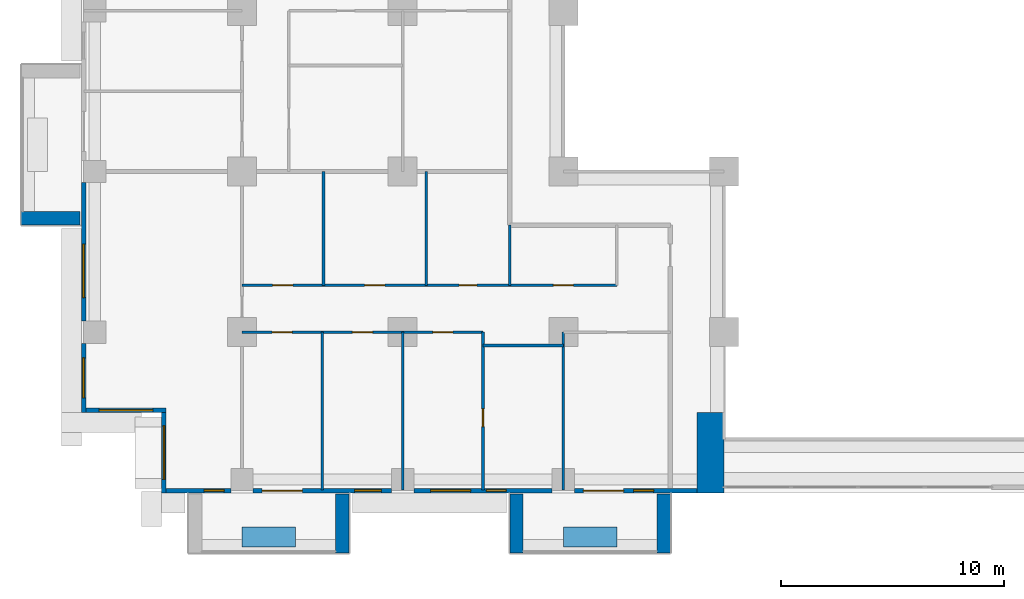
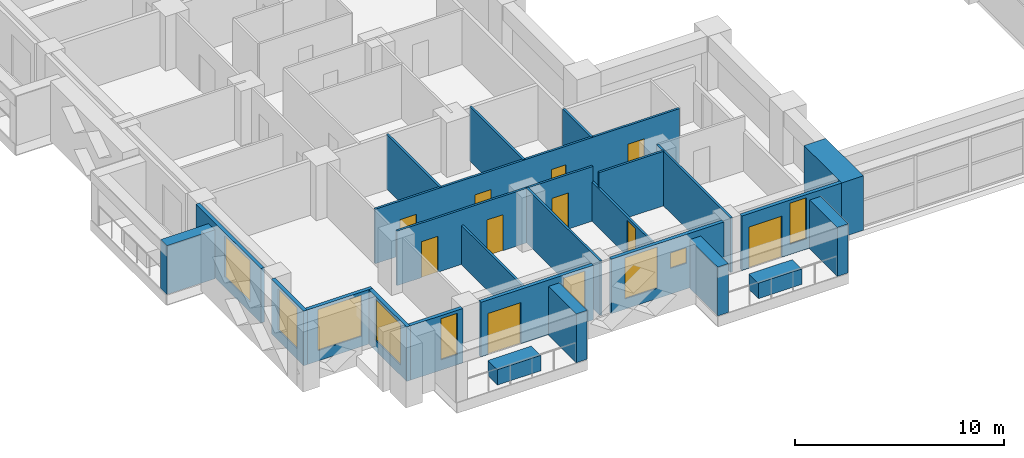
# One storey, part 6 of 17: 25 walls, 10 doors, 9 windows, 19 openings.
"""IFC4 building model written with IfcOpenShell, lengths in metres."""

from ifc_helpers import new_model, si_unit, direction, frame, frame_2d, origin, place, context, subcontext, project, spatial, rectangle, extrude, material, layer, layer_set, type_object, element, fill, save


model = new_model("IFC4")

# Units and contexts
model_context = context("Model", 3, precision=1e-05, world=origin(), true_north=direction((0.0, 1.0)))
body_context = subcontext(model_context, "Body", "Model", "MODEL_VIEW")
ifc_project = project(units=[si_unit("LENGTHUNIT", "METRE"), si_unit("AREAUNIT", "SQUARE_METRE"), si_unit("VOLUMEUNIT", "CUBIC_METRE"), si_unit("PLANEANGLEUNIT", "RADIAN"), si_unit("MASSUNIT", "GRAM", prefix="KILO")], contexts=[model_context])

# Site, building, storey
site_placement = place(None, origin())
site = spatial("IfcSite", under=ifc_project, at=site_placement, CompositionType="ELEMENT")
building_placement = place(site_placement, origin())
building = spatial("IfcBuilding", under=site, at=building_placement, Name="Saffron Iwan Residences", CompositionType="ELEMENT")
storey_placement = place(building_placement, frame((0.0, 0.0, 62.0)))
storey = spatial("IfcBuildingStorey", under=building, at=storey_placement, Name="L15", CompositionType="ELEMENT", Elevation=62.0)

# Walls
ifc_material_1 = material(Name="Concrete C50/60 white painted", Category="concrete")
ifc_layer_1 = layer(ifc_material_1, 0.60009765625)
ifc_layer_set_1 = layer_set([ifc_layer_1], Name="Concrete C50/60 white painted")
wall_type_1 = type_object("IfcWallType", Name="BALCONY FIN 600", PredefinedType="SOLIDWALL", material=ifc_layer_set_1)
for number, where, z_axis, x_axis, name in (
    (1, (14.35009765625, 45.89990234375, 0.0), (0.0, 0.0, 1.0), (-1.0, 0.0, 0.0), "Balcony fin L15 F8-1b"),
    (2, (26.10009765625, 33.550048828125, 0.0), (0.0, 0.0, 1.0), (0.0, -1.0, 0.0), "Balcony fin L15 11-0b"),
    (3, (33.89990234375, 33.550048828125, 0.0), (0.0, 0.0, 1.0), (0.0, -1.0, 0.0), "Balcony fin L15 11-1a"),
    (4, (40.5, 33.550048828125, 0.0), (0.0, 0.0, 1.0), (0.0, -1.0, 0.0), "Balcony fin L15 11-1b"),
):
    element("IfcWall", number, at=place(storey_placement, frame(where, z_axis=z_axis, x_axis=x_axis)), inside=storey, type_object=wall_type_1, Name=name, PredefinedType="SOLIDWALL", context=body_context, shape_type="SweptSolid", body=[
        extrude(rectangle(XDim=2.650146484375, YDim=0.60009765625, at=frame_2d((1.3251953125, 0.0))), origin(), (0.0, 0.0, 1.0), 2.85009765625),
    ])
ifc_material_2 = material(Name="Concrete C35/45 white painted", Category="concrete")
ifc_layer_2 = layer(ifc_material_2, 0.14990234375)
ifc_layer_set_2 = layer_set([ifc_layer_2], Name="Concrete C35/45 white painted")
wall_type_2 = type_object("IfcWallType", Name="BALCONY PLANTER", PredefinedType="SOLIDWALL", material=ifc_layer_set_2)
for number, where, z_axis, x_axis, name in (
    (5, (21.60009765625, 31.625, 0.0), (0.0, 0.0, 1.0), (1.0, 0.0, 0.0), "PLANTER L15 11-0"),
    (6, (36.0, 31.625, 0.0), (0.0, 0.0, 1.0), (1.0, 0.0, 0.0), "PLANTER L15 11-1"),
):
    element("IfcWall", number, at=place(storey_placement, frame(where, z_axis=z_axis, x_axis=x_axis)), inside=storey, type_object=wall_type_2, Name=name, PredefinedType="SOLIDWALL", context=body_context, shape_type="SweptSolid", body=[
        extrude(rectangle(XDim=2.39990234375, YDim=0.89990234375, at=frame_2d((1.199951171875, 0.0))), origin(), (0.0, 0.0, 1.0), 0.89990234375),
    ])

# Wall, opening, window
ifc_material_3 = material(Name="Concrete C40/50", Category="concrete")
ifc_layer_3 = layer(ifc_material_3, 0.199951171875)
ifc_layer_set_3 = layer_set([ifc_layer_3], Name="Concrete C40/50")
wall_type_3 = type_object("IfcWallType", Name="EXTERNAL WALL 200", PredefinedType="SOLIDWALL", material=ifc_layer_set_3)
wall_1_placement = place(storey_placement, frame((14.5, 47.5, 0.0), z_axis=(0.0, 0.0, 1.0), x_axis=(0.0, -1.0, 0.0)))
wall_1 = element("IfcWall", 7, at=wall_1_placement, inside=storey, type_object=wall_type_3, Name="External wall L15 F8.4", PredefinedType="SOLIDWALL", context=body_context, shape_type="SweptSolid", body=[
    extrude(rectangle(XDim=6.199951171875, YDim=0.199951171875, at=frame_2d((3.10009765625, 0.0))), origin(), (0.0, 0.0, 1.0), 3.179931640625),
])
opening_1_placement = place(wall_1_placement, frame((2.75, 0.0, 0.60009765625)))
opening_1 = element("IfcOpeningElement", 8, at=opening_1_placement, cuts=wall_1, Name="Opening W1", PredefinedType="OPENING", context=body_context, shape_type="SweptSolid", body=[
    extrude(rectangle(XDim=2.39990234375, YDim=2.39990234375, at=frame_2d((1.199951171875, 1.199951171875))), frame((0.0, 0.10986328125, 0.0), z_axis=(0.0, -1.0, 0.0), x_axis=(1.0, 0.0, 0.0)), (0.0, 0.0, 1.0), 0.219970703125),
])
ifc_material_4 = material(Name="Clear glass, laminated double glazed", Category="glass")
window_type_1 = type_object("IfcWindowType", Name="WINDOW 2400 x 2400", PartitioningType="DOUBLE_PANEL_VERTICAL", PredefinedType="WINDOW", material=ifc_material_4)
window_1_placement = place(opening_1_placement, origin())
window_1 = element("IfcWindow", 9, at=window_1_placement, inside=storey, type_object=window_type_1, Name="Window L15 F8.0", OverallHeight=2.39990234375, OverallWidth=2.39990234375, PartitioningType="DOUBLE_PANEL_VERTICAL", PredefinedType="WINDOW", context=body_context, shape_type="SweptSolid", body=[
    extrude(rectangle(XDim=2.39990234375, YDim=2.39990234375, at=frame_2d((1.199951171875, 1.199951171875))), frame((0.0, 0.030029296875, 0.0), z_axis=(0.0, -1.0, 0.0), x_axis=(1.0, 0.0, 0.0)), (0.0, 0.0, 1.0), 0.06005859375),
])
fill(opening_1, window_1)

wall_2_placement = place(storey_placement, frame((14.5, 40.300048828125, 0.0), z_axis=(0.0, 0.0, 1.0), x_axis=(0.0, -1.0, 0.0)))
wall_2 = element("IfcWall", 10, at=wall_2_placement, inside=storey, type_object=wall_type_3, Name="External wall L15 F8.5", PredefinedType="SOLIDWALL", context=body_context, shape_type="SweptSolid", body=[
    extrude(rectangle(XDim=3.10009765625, YDim=0.199951171875, at=frame_2d((1.550048828125, 0.0))), origin(), (0.0, 0.0, 1.0), 3.179931640625),
])
opening_2_placement = place(wall_2_placement, frame((0.64990234375, 0.0, 0.60009765625)))
opening_2 = element("IfcOpeningElement", 11, at=opening_2_placement, cuts=wall_2, Name="Opening W8", PredefinedType="OPENING", context=body_context, shape_type="SweptSolid", body=[
    extrude(rectangle(XDim=1.800048828125, YDim=2.39990234375, at=frame_2d((0.89990234375, 1.199951171875))), frame((0.0, 0.10986328125, 0.0), z_axis=(0.0, -1.0, 0.0), x_axis=(1.0, 0.0, 0.0)), (0.0, 0.0, 1.0), 0.219970703125),
])
window_type_2 = type_object("IfcWindowType", Name="WINDOW 1800 x 2400", PartitioningType="DOUBLE_PANEL_VERTICAL", PredefinedType="WINDOW", material=ifc_material_4)
window_2_placement = place(opening_2_placement, origin())
window_2 = element("IfcWindow", 12, at=window_2_placement, inside=storey, type_object=window_type_2, Name="Window L15 F8.0", OverallHeight=2.39990234375, OverallWidth=1.800048828125, PartitioningType="DOUBLE_PANEL_VERTICAL", PredefinedType="WINDOW", context=body_context, shape_type="SweptSolid", body=[
    extrude(rectangle(XDim=1.800048828125, YDim=2.39990234375, at=frame_2d((0.89990234375, 1.199951171875))), frame((0.0, 0.030029296875, 0.0), z_axis=(0.0, -1.0, 0.0), x_axis=(1.0, 0.0, 0.0)), (0.0, 0.0, 1.0), 0.06005859375),
])
fill(opening_2, window_2)

wall_3_placement = place(storey_placement, frame((14.60009765625, 37.300048828125, 0.0), z_axis=(0.0, 0.0, 1.0), x_axis=(1.0, 0.0, 0.0)))
wall_3 = element("IfcWall", 13, at=wall_3_placement, inside=storey, type_object=wall_type_3, Name="External wall L15 F9.0", PredefinedType="SOLIDWALL", context=body_context, shape_type="SweptSolid", body=[
    extrude(rectangle(XDim=3.599853515625, YDim=0.199951171875, at=frame_2d((1.7998046875, 0.0))), origin(), (0.0, 0.0, 1.0), 3.179931640625),
])
opening_3_placement = place(wall_3_placement, frame((0.60009765625, 0.0, 0.60009765625)))
opening_3 = element("IfcOpeningElement", 14, at=opening_3_placement, cuts=wall_3, Name="Opening W1", PredefinedType="OPENING", context=body_context, shape_type="SweptSolid", body=[
    extrude(rectangle(XDim=2.39990234375, YDim=2.39990234375, at=frame_2d((1.199951171875, 1.199951171875))), frame((0.0, 0.10986328125, 0.0), z_axis=(0.0, -1.0, 0.0), x_axis=(1.0, 0.0, 0.0)), (0.0, 0.0, 1.0), 0.219970703125),
])
window_3_placement = place(opening_3_placement, origin())
window_3 = element("IfcWindow", 15, at=window_3_placement, inside=storey, type_object=window_type_1, Name="Window L15 F9.0", OverallHeight=2.39990234375, OverallWidth=2.39990234375, PartitioningType="DOUBLE_PANEL_VERTICAL", PredefinedType="WINDOW", context=body_context, shape_type="SweptSolid", body=[
    extrude(rectangle(XDim=2.39990234375, YDim=2.39990234375, at=frame_2d((1.199951171875, 1.199951171875))), frame((0.0, 0.030029296875, 0.0), z_axis=(0.0, -1.0, 0.0), x_axis=(1.0, 0.0, 0.0)), (0.0, 0.0, 1.0), 0.06005859375),
])
fill(opening_3, window_3)

wall_4_placement = place(storey_placement, frame((18.10009765625, 37.199951171875, 0.0), z_axis=(0.0, 0.0, 1.0), x_axis=(0.0, -1.0, 0.0)))
wall_4 = element("IfcWall", 16, at=wall_4_placement, inside=storey, type_object=wall_type_3, Name="External wall L15 F10.0", PredefinedType="SOLIDWALL", context=body_context, shape_type="SweptSolid", body=[
    extrude(rectangle(XDim=3.599853515625, YDim=0.199951171875, at=frame_2d((1.7998046875, 0.0))), origin(), (0.0, 0.0, 1.0), 3.179931640625),
])
opening_4_placement = place(wall_4_placement, frame((0.60009765625, 0.0, 0.60009765625)))
opening_4 = element("IfcOpeningElement", 17, at=opening_4_placement, cuts=wall_4, Name="Opening W1", PredefinedType="OPENING", context=body_context, shape_type="SweptSolid", body=[
    extrude(rectangle(XDim=2.39990234375, YDim=2.39990234375, at=frame_2d((1.199951171875, 1.199951171875))), frame((0.0, 0.10986328125, 0.0), z_axis=(0.0, -1.0, 0.0), x_axis=(1.0, 0.0, 0.0)), (0.0, 0.0, 1.0), 0.219970703125),
])
window_4_placement = place(opening_4_placement, origin())
window_4 = element("IfcWindow", 18, at=window_4_placement, inside=storey, type_object=window_type_1, Name="Window L15 F10.0", OverallHeight=2.39990234375, OverallWidth=2.39990234375, PartitioningType="DOUBLE_PANEL_VERTICAL", PredefinedType="WINDOW", context=body_context, shape_type="SweptSolid", body=[
    extrude(rectangle(XDim=2.39990234375, YDim=2.39990234375, at=frame_2d((1.199951171875, 1.199951171875))), frame((0.0, 0.030029296875, 0.0), z_axis=(0.0, -1.0, 0.0), x_axis=(1.0, 0.0, 0.0)), (0.0, 0.0, 1.0), 0.06005859375),
])
fill(opening_4, window_4)

wall_5_placement = place(storey_placement, frame((18.199951171875, 33.699951171875, 0.0), z_axis=(0.0, 0.0, 1.0), x_axis=(1.0, 0.0, 0.0)))
wall_5 = element("IfcWall", 19, at=wall_5_placement, inside=storey, type_object=wall_type_3, Name="External wall L15 F11.0", PredefinedType="SOLIDWALL", context=body_context, shape_type="SweptSolid", body=[
    extrude(rectangle(XDim=2.900146484375, YDim=0.199951171875, at=frame_2d((1.4501953125, 0.0))), origin(), (0.0, 0.0, 1.0), 3.179931640625),
])
opening_5_placement = place(wall_5_placement, frame((1.699951171875, 0.0, 0.60009765625)))
opening_5 = element("IfcOpeningElement", 20, at=opening_5_placement, cuts=wall_5, Name="Opening W10", PredefinedType="OPENING", context=body_context, shape_type="SweptSolid", body=[
    extrude(rectangle(XDim=0.89990234375, YDim=2.39990234375, at=frame_2d((0.449951171875, 1.199951171875))), frame((0.0, 0.10986328125, 0.0), z_axis=(0.0, -1.0, 0.0), x_axis=(1.0, 0.0, 0.0)), (0.0, 0.0, 1.0), 0.219970703125),
])
window_type_3 = type_object("IfcWindowType", Name="WINDOW 900 x 2400", PartitioningType="SINGLE_PANEL", PredefinedType="WINDOW", material=ifc_material_4)
window_5_placement = place(opening_5_placement, origin())
window_5 = element("IfcWindow", 21, at=window_5_placement, inside=storey, type_object=window_type_3, Name="Window L15 F11.0", OverallHeight=2.39990234375, OverallWidth=0.89990234375, PartitioningType="SINGLE_PANEL", PredefinedType="WINDOW", context=body_context, shape_type="SweptSolid", body=[
    extrude(rectangle(XDim=0.89990234375, YDim=2.39990234375, at=frame_2d((0.449951171875, 1.199951171875))), frame((0.0, 0.030029296875, 0.0), z_axis=(0.0, -1.0, 0.0), x_axis=(1.0, 0.0, 0.0)), (0.0, 0.0, 1.0), 0.06005859375),
])
fill(opening_5, window_5)

# Wall, openings, door, window
wall_6_placement = place(storey_placement, frame((22.10009765625, 33.699951171875, 0.0), z_axis=(0.0, 0.0, 1.0), x_axis=(1.0, 0.0, 0.0)))
wall_6 = element("IfcWall", 22, at=wall_6_placement, inside=storey, type_object=wall_type_3, Name="External wall L15 F11.1", PredefinedType="SOLIDWALL", context=body_context, shape_type="SweptSolid", body=[
    extrude(rectangle(XDim=6.199951171875, YDim=0.199951171875, at=frame_2d((3.10009765625, 0.0))), origin(), (0.0, 0.0, 1.0), 3.179931640625),
])
opening_6_placement = place(wall_6_placement, frame((0.39990234375, 0.0, 0.0)))
opening_6 = element("IfcOpeningElement", 23, at=opening_6_placement, cuts=wall_6, Name="Opening BD1", PredefinedType="OPENING", context=body_context, shape_type="SweptSolid", body=[
    extrude(rectangle(XDim=1.800048828125, YDim=2.39990234375, at=frame_2d((0.89990234375, 1.199951171875))), frame((0.0, 0.10986328125, 0.0), z_axis=(0.0, -1.0, 0.0), x_axis=(1.0, 0.0, 0.0)), (0.0, 0.0, 1.0), 0.219970703125),
])
opening_7_placement = place(wall_6_placement, frame((4.550048828125, 0.0, 0.60009765625)))
opening_7 = element("IfcOpeningElement", 24, at=opening_7_placement, cuts=wall_6, Name="Opening W3", PredefinedType="OPENING", context=body_context, shape_type="SweptSolid", body=[
    extrude(rectangle(XDim=1.199951171875, YDim=2.39990234375, at=frame_2d((0.60009765625, 1.199951171875))), frame((0.0, 0.10986328125, 0.0), z_axis=(0.0, -1.0, 0.0), x_axis=(1.0, 0.0, 0.0)), (0.0, 0.0, 1.0), 0.219970703125),
])
door_type_1 = type_object("IfcDoorType", Name="BALCONY DOOR 1800 x 2400", OperationType="DOUBLE_DOOR_SLIDING", PredefinedType="DOOR", material=ifc_material_4)
door_1_placement = place(opening_6_placement, origin())
door_1 = element("IfcDoor", 25, at=door_1_placement, inside=storey, type_object=door_type_1, Name="Balcony door L15 F11.0", OperationType="DOUBLE_DOOR_SLIDING", OverallHeight=2.39990234375, OverallWidth=1.800048828125, PredefinedType="DOOR", context=body_context, shape_type="SweptSolid", body=[
    extrude(rectangle(XDim=1.800048828125, YDim=2.39990234375, at=frame_2d((0.89990234375, 1.199951171875))), frame((0.0, 0.02490234375, 0.0), z_axis=(0.0, -1.0, 0.0), x_axis=(1.0, 0.0, 0.0)), (0.0, 0.0, 1.0), 0.050048828125),
])
fill(opening_6, door_1)
window_type_4 = type_object("IfcWindowType", Name="WINDOW 1200 x 2400", PartitioningType="SINGLE_PANEL", PredefinedType="WINDOW", material=ifc_material_4)
window_6_placement = place(opening_7_placement, origin())
window_6 = element("IfcWindow", 26, at=window_6_placement, inside=storey, type_object=window_type_4, Name="Window L15 F11.1", OverallHeight=2.39990234375, OverallWidth=1.199951171875, PartitioningType="SINGLE_PANEL", PredefinedType="WINDOW", context=body_context, shape_type="SweptSolid", body=[
    extrude(rectangle(XDim=1.199951171875, YDim=2.39990234375, at=frame_2d((0.60009765625, 1.199951171875))), frame((0.0, 0.030029296875, 0.0), z_axis=(0.0, -1.0, 0.0), x_axis=(1.0, 0.0, 0.0)), (0.0, 0.0, 1.0), 0.06005859375),
])
fill(opening_7, window_6)

# Wall, openings, windows
wall_7_placement = place(storey_placement, frame((29.300048828125, 33.699951171875, 0.0), z_axis=(0.0, 0.0, 1.0), x_axis=(1.0, 0.0, 0.0)))
wall_7 = element("IfcWall", 27, at=wall_7_placement, inside=storey, type_object=wall_type_3, Name="External wall L15 F11.2", PredefinedType="SOLIDWALL", context=body_context, shape_type="SweptSolid", body=[
    extrude(rectangle(XDim=6.199951171875, YDim=0.199951171875, at=frame_2d((3.10009765625, 0.0))), origin(), (0.0, 0.0, 1.0), 3.179931640625),
])
opening_8_placement = place(wall_7_placement, frame((0.75, 0.0, 0.60009765625)))
opening_8 = element("IfcOpeningElement", 28, at=opening_8_placement, cuts=wall_7, Name="Opening W8", PredefinedType="OPENING", context=body_context, shape_type="SweptSolid", body=[
    extrude(rectangle(XDim=1.800048828125, YDim=2.39990234375, at=frame_2d((0.89990234375, 1.199951171875))), frame((0.0, 0.10986328125, 0.0), z_axis=(0.0, -1.0, 0.0), x_axis=(1.0, 0.0, 0.0)), (0.0, 0.0, 1.0), 0.219970703125),
])
opening_9_placement = place(wall_7_placement, frame((3.25, 0.0, 1.5)))
opening_9 = element("IfcOpeningElement", 29, at=opening_9_placement, cuts=wall_7, Name="Opening W6", PredefinedType="OPENING", context=body_context, shape_type="SweptSolid", body=[
    extrude(rectangle(XDim=0.89990234375, YDim=0.89990234375, at=frame_2d((0.449951171875, 0.449951171875))), frame((0.0, 0.10986328125, 0.0), z_axis=(0.0, -1.0, 0.0), x_axis=(1.0, 0.0, 0.0)), (0.0, 0.0, 1.0), 0.219970703125),
])
window_7_placement = place(opening_8_placement, origin())
window_7 = element("IfcWindow", 30, at=window_7_placement, inside=storey, type_object=window_type_2, Name="Window L15 F11.0", OverallHeight=2.39990234375, OverallWidth=1.800048828125, PartitioningType="DOUBLE_PANEL_VERTICAL", PredefinedType="WINDOW", context=body_context, shape_type="SweptSolid", body=[
    extrude(rectangle(XDim=1.800048828125, YDim=2.39990234375, at=frame_2d((0.89990234375, 1.199951171875))), frame((0.0, 0.030029296875, 0.0), z_axis=(0.0, -1.0, 0.0), x_axis=(1.0, 0.0, 0.0)), (0.0, 0.0, 1.0), 0.06005859375),
])
fill(opening_8, window_7)
window_type_5 = type_object("IfcWindowType", Name="WINDOW 900 x 900 BATH", PartitioningType="SINGLE_PANEL", PredefinedType="WINDOW", material=ifc_material_4)
window_8_placement = place(opening_9_placement, origin())
window_8 = element("IfcWindow", 31, at=window_8_placement, inside=storey, type_object=window_type_5, Name="Window L15 F11.1", OverallHeight=0.89990234375, OverallWidth=0.89990234375, PartitioningType="SINGLE_PANEL", PredefinedType="WINDOW", context=body_context, shape_type="SweptSolid", body=[
    extrude(rectangle(XDim=0.89990234375, YDim=0.89990234375, at=frame_2d((0.449951171875, 0.449951171875))), frame((0.0, 0.030029296875, 0.0), z_axis=(0.0, -1.0, 0.0), x_axis=(1.0, 0.0, 0.0)), (0.0, 0.0, 1.0), 0.06005859375),
])
fill(opening_9, window_8)

# Wall, openings, door, window
wall_8_placement = place(storey_placement, frame((36.5, 33.699951171875, 0.0), z_axis=(0.0, 0.0, 1.0), x_axis=(1.0, 0.0, 0.0)))
wall_8 = element("IfcWall", 32, at=wall_8_placement, inside=storey, type_object=wall_type_3, Name="External wall L15 F11.3", PredefinedType="SOLIDWALL", context=body_context, shape_type="SweptSolid", body=[
    extrude(rectangle(XDim=5.5, YDim=0.199951171875, at=frame_2d((2.75, 0.0))), origin(), (0.0, 0.0, 1.0), 3.179931640625),
])
opening_10_placement = place(wall_8_placement, frame((0.39990234375, 0.0, 0.0)))
opening_10 = element("IfcOpeningElement", 33, at=opening_10_placement, cuts=wall_8, Name="Opening BD1", PredefinedType="OPENING", context=body_context, shape_type="SweptSolid", body=[
    extrude(rectangle(XDim=1.800048828125, YDim=2.39990234375, at=frame_2d((0.89990234375, 1.199951171875))), frame((0.0, 0.10986328125, 0.0), z_axis=(0.0, -1.0, 0.0), x_axis=(1.0, 0.0, 0.0)), (0.0, 0.0, 1.0), 0.219970703125),
])
opening_11_placement = place(wall_8_placement, frame((2.64990234375, 0.0, 0.60009765625)))
opening_11 = element("IfcOpeningElement", 34, at=opening_11_placement, cuts=wall_8, Name="Opening W10", PredefinedType="OPENING", context=body_context, shape_type="SweptSolid", body=[
    extrude(rectangle(XDim=0.89990234375, YDim=2.39990234375, at=frame_2d((0.449951171875, 1.199951171875))), frame((0.0, 0.10986328125, 0.0), z_axis=(0.0, -1.0, 0.0), x_axis=(1.0, 0.0, 0.0)), (0.0, 0.0, 1.0), 0.219970703125),
])
door_2_placement = place(opening_10_placement, origin())
door_2 = element("IfcDoor", 35, at=door_2_placement, inside=storey, type_object=door_type_1, Name="Balcony door L15 F11.0", OperationType="DOUBLE_DOOR_SLIDING", OverallHeight=2.39990234375, OverallWidth=1.800048828125, PredefinedType="DOOR", context=body_context, shape_type="SweptSolid", body=[
    extrude(rectangle(XDim=1.800048828125, YDim=2.39990234375, at=frame_2d((0.89990234375, 1.199951171875))), frame((0.0, 0.02490234375, 0.0), z_axis=(0.0, -1.0, 0.0), x_axis=(1.0, 0.0, 0.0)), (0.0, 0.0, 1.0), 0.050048828125),
])
fill(opening_10, door_2)
window_9_placement = place(opening_11_placement, origin())
window_9 = element("IfcWindow", 36, at=window_9_placement, inside=storey, type_object=window_type_3, Name="Window L15 F11.1", OverallHeight=2.39990234375, OverallWidth=0.89990234375, PartitioningType="SINGLE_PANEL", PredefinedType="WINDOW", context=body_context, shape_type="SweptSolid", body=[
    extrude(rectangle(XDim=0.89990234375, YDim=2.39990234375, at=frame_2d((0.449951171875, 1.199951171875))), frame((0.0, 0.030029296875, 0.0), z_axis=(0.0, -1.0, 0.0), x_axis=(1.0, 0.0, 0.0)), (0.0, 0.0, 1.0), 0.06005859375),
])
fill(opening_11, window_9)

# Wall
ifc_material_5 = material(Name="Gypsum board partition")
ifc_layer_4 = layer(ifc_material_5, 0.1201171875)
ifc_layer_set_4 = layer_set([ifc_layer_4], Name="Gypsum board partition")
wall_type_4 = type_object("IfcWallType", Name="Flat partition 120", PredefinedType="PARTITIONING", material=ifc_layer_set_4)
wall_9_placement = place(storey_placement, frame((32.39990234375, 40.199951171875, 0.0), z_axis=(0.0, 0.0, 1.0), x_axis=(1.0, 0.0, 0.0)))
element("IfcWall", 37, at=wall_9_placement, inside=storey, type_object=wall_type_4, Name="W-L15-PART-h40.2-32.4", PredefinedType="PARTITIONING", context=body_context, shape_type="SweptSolid", body=[
    extrude(rectangle(XDim=3.60009765625, YDim=0.1201171875, at=frame_2d((1.800048828125, 0.0))), origin(), (0.0, 0.0, 1.0), 3.179931640625),
])

# Wall, openings, doors
wall_10_placement = place(storey_placement, frame((21.60009765625, 40.800048828125, 0.0), z_axis=(0.0, 0.0, 1.0), x_axis=(1.0, 0.0, 0.0)))
wall_10 = element("IfcWall", 38, at=wall_10_placement, inside=storey, type_object=wall_type_4, Name="W-L15-PART-h40.8-21.6", PredefinedType="PARTITIONING", context=body_context, shape_type="SweptSolid", body=[
    extrude(rectangle(XDim=10.7998046875, YDim=0.1201171875, at=frame_2d((5.39990234375, 0.0))), origin(), (0.0, 0.0, 1.0), 3.179931640625),
])
opening_12_placement = place(wall_10_placement, frame((1.35009765625, 0.0, 0.0)))
opening_12 = element("IfcOpeningElement", 39, at=opening_12_placement, cuts=wall_10, Name="Opening FD2", PredefinedType="OPENING", context=body_context, shape_type="SweptSolid", body=[
    extrude(rectangle(XDim=0.89990234375, YDim=2.10009765625, at=frame_2d((0.449951171875, 1.050048828125))), frame((0.0, 0.070068359375, 0.0), z_axis=(0.0, -1.0, 0.0), x_axis=(1.0, 0.0, 0.0)), (0.0, 0.0, 1.0), 0.14013671875),
])
opening_13_placement = place(wall_10_placement, frame((4.949951171875, 0.0, 0.0)))
opening_13 = element("IfcOpeningElement", 40, at=opening_13_placement, cuts=wall_10, Name="Opening FD2", PredefinedType="OPENING", context=body_context, shape_type="SweptSolid", body=[
    extrude(rectangle(XDim=0.89990234375, YDim=2.10009765625, at=frame_2d((0.449951171875, 1.050048828125))), frame((0.0, 0.070068359375, 0.0), z_axis=(0.0, -1.0, 0.0), x_axis=(1.0, 0.0, 0.0)), (0.0, 0.0, 1.0), 0.14013671875),
])
opening_14_placement = place(wall_10_placement, frame((8.550048828125, 0.0, 0.0)))
opening_14 = element("IfcOpeningElement", 41, at=opening_14_placement, cuts=wall_10, Name="Opening FD2", PredefinedType="OPENING", context=body_context, shape_type="SweptSolid", body=[
    extrude(rectangle(XDim=0.89990234375, YDim=2.10009765625, at=frame_2d((0.449951171875, 1.050048828125))), frame((0.0, 0.070068359375, 0.0), z_axis=(0.0, -1.0, 0.0), x_axis=(1.0, 0.0, 0.0)), (0.0, 0.0, 1.0), 0.14013671875),
])
ifc_material_6 = material(Name="Timber door", Category="wood")
door_type_2 = type_object("IfcDoorType", Name="Flat door 900", OperationType="NOTDEFINED", PredefinedType="DOOR", material=ifc_material_6)
door_3_placement = place(opening_12_placement, origin())
door_3 = element("IfcDoor", 42, at=door_3_placement, inside=storey, type_object=door_type_2, Name="Door L15-003", OperationType="SINGLE_SWING_LEFT", OverallHeight=2.10009765625, OverallWidth=0.89990234375, PredefinedType="DOOR", context=body_context, shape_type="SweptSolid", body=[
    extrude(rectangle(XDim=0.89990234375, YDim=2.10009765625, at=frame_2d((0.449951171875, 1.050048828125))), frame((0.0, 0.02490234375, 0.0), z_axis=(0.0, -1.0, 0.0), x_axis=(1.0, 0.0, 0.0)), (0.0, 0.0, 1.0), 0.050048828125),
])
fill(opening_12, door_3)
door_4_placement = place(opening_13_placement, origin())
door_4 = element("IfcDoor", 43, at=door_4_placement, inside=storey, type_object=door_type_2, Name="Door L15-004", OperationType="SINGLE_SWING_RIGHT", OverallHeight=2.10009765625, OverallWidth=0.89990234375, PredefinedType="DOOR", context=body_context, shape_type="SweptSolid", body=[
    extrude(rectangle(XDim=0.89990234375, YDim=2.10009765625, at=frame_2d((0.449951171875, 1.050048828125))), frame((0.0, 0.02490234375, 0.0), z_axis=(0.0, -1.0, 0.0), x_axis=(1.0, 0.0, 0.0)), (0.0, 0.0, 1.0), 0.050048828125),
])
fill(opening_13, door_4)
door_5_placement = place(opening_14_placement, origin())
door_5 = element("IfcDoor", 44, at=door_5_placement, inside=storey, type_object=door_type_2, Name="Door L15-005", OperationType="SINGLE_SWING_LEFT", OverallHeight=2.10009765625, OverallWidth=0.89990234375, PredefinedType="DOOR", context=body_context, shape_type="SweptSolid", body=[
    extrude(rectangle(XDim=0.89990234375, YDim=2.10009765625, at=frame_2d((0.449951171875, 1.050048828125))), frame((0.0, 0.02490234375, 0.0), z_axis=(0.0, -1.0, 0.0), x_axis=(1.0, 0.0, 0.0)), (0.0, 0.0, 1.0), 0.050048828125),
])
fill(opening_14, door_5)

wall_11_placement = place(storey_placement, frame((21.60009765625, 42.89990234375, 0.0), z_axis=(0.0, 0.0, 1.0), x_axis=(1.0, 0.0, 0.0)))
wall_11 = element("IfcWall", 45, at=wall_11_placement, inside=storey, type_object=wall_type_4, Name="W-L15-PART-h42.9-21.6", PredefinedType="PARTITIONING", context=body_context, shape_type="SweptSolid", body=[
    extrude(rectangle(XDim=16.7998046875, YDim=0.1201171875, at=frame_2d((8.39990234375, 0.0))), origin(), (0.0, 0.0, 1.0), 3.179931640625),
])
opening_15_placement = place(wall_11_placement, frame((1.375, 0.0, 0.0)))
opening_15 = element("IfcOpeningElement", 46, at=opening_15_placement, cuts=wall_11, Name="Opening FD2", PredefinedType="OPENING", context=body_context, shape_type="SweptSolid", body=[
    extrude(rectangle(XDim=0.89990234375, YDim=2.10009765625, at=frame_2d((0.449951171875, 1.050048828125))), frame((0.0, 0.070068359375, 0.0), z_axis=(0.0, -1.0, 0.0), x_axis=(1.0, 0.0, 0.0)), (0.0, 0.0, 1.0), 0.14013671875),
])
opening_16_placement = place(wall_11_placement, frame((5.5, 0.0, 0.0)))
opening_16 = element("IfcOpeningElement", 47, at=opening_16_placement, cuts=wall_11, Name="Opening FD2", PredefinedType="OPENING", context=body_context, shape_type="SweptSolid", body=[
    extrude(rectangle(XDim=0.89990234375, YDim=2.10009765625, at=frame_2d((0.449951171875, 1.050048828125))), frame((0.0, 0.070068359375, 0.0), z_axis=(0.0, -1.0, 0.0), x_axis=(1.0, 0.0, 0.0)), (0.0, 0.0, 1.0), 0.14013671875),
])
opening_17_placement = place(wall_11_placement, frame((9.72509765625, 0.0, 0.0)))
opening_17 = element("IfcOpeningElement", 48, at=opening_17_placement, cuts=wall_11, Name="Opening FD3", PredefinedType="OPENING", context=body_context, shape_type="SweptSolid", body=[
    extrude(rectangle(XDim=0.800048828125, YDim=2.10009765625, at=frame_2d((0.39990234375, 1.050048828125))), frame((0.0, 0.070068359375, 0.0), z_axis=(0.0, -1.0, 0.0), x_axis=(1.0, 0.0, 0.0)), (0.0, 0.0, 1.0), 0.14013671875),
])
opening_18_placement = place(wall_11_placement, frame((13.949951171875, 0.0, 0.0)))
opening_18 = element("IfcOpeningElement", 49, at=opening_18_placement, cuts=wall_11, Name="Opening FD2", PredefinedType="OPENING", context=body_context, shape_type="SweptSolid", body=[
    extrude(rectangle(XDim=0.89990234375, YDim=2.10009765625, at=frame_2d((0.449951171875, 1.050048828125))), frame((0.0, 0.070068359375, 0.0), z_axis=(0.0, -1.0, 0.0), x_axis=(1.0, 0.0, 0.0)), (0.0, 0.0, 1.0), 0.14013671875),
])
door_type_3 = type_object("IfcDoorType", Name="Bathroom door 800", OperationType="NOTDEFINED", PredefinedType="DOOR", material=ifc_material_6)
door_6_placement = place(opening_17_placement, origin())
door_6 = element("IfcDoor", 50, at=door_6_placement, inside=storey, type_object=door_type_3, Name="Door L15-010", OperationType="SINGLE_SWING_RIGHT", OverallHeight=2.10009765625, OverallWidth=0.800048828125, PredefinedType="DOOR", context=body_context, shape_type="SweptSolid", body=[
    extrude(rectangle(XDim=0.800048828125, YDim=2.10009765625, at=frame_2d((0.39990234375, 1.050048828125))), frame((0.0, 0.02490234375, 0.0), z_axis=(0.0, -1.0, 0.0), x_axis=(1.0, 0.0, 0.0)), (0.0, 0.0, 1.0), 0.050048828125),
])
fill(opening_17, door_6)
door_7_placement = place(opening_15_placement, origin())
door_7 = element("IfcDoor", 51, at=door_7_placement, inside=storey, type_object=door_type_2, Name="Door L15-008", OperationType="SINGLE_SWING_LEFT", OverallHeight=2.10009765625, OverallWidth=0.89990234375, PredefinedType="DOOR", context=body_context, shape_type="SweptSolid", body=[
    extrude(rectangle(XDim=0.89990234375, YDim=2.10009765625, at=frame_2d((0.449951171875, 1.050048828125))), frame((0.0, 0.02490234375, 0.0), z_axis=(0.0, -1.0, 0.0), x_axis=(1.0, 0.0, 0.0)), (0.0, 0.0, 1.0), 0.050048828125),
])
fill(opening_15, door_7)
door_8_placement = place(opening_16_placement, origin())
door_8 = element("IfcDoor", 52, at=door_8_placement, inside=storey, type_object=door_type_2, Name="Door L15-009", OperationType="SINGLE_SWING_LEFT", OverallHeight=2.10009765625, OverallWidth=0.89990234375, PredefinedType="DOOR", context=body_context, shape_type="SweptSolid", body=[
    extrude(rectangle(XDim=0.89990234375, YDim=2.10009765625, at=frame_2d((0.449951171875, 1.050048828125))), frame((0.0, 0.02490234375, 0.0), z_axis=(0.0, -1.0, 0.0), x_axis=(1.0, 0.0, 0.0)), (0.0, 0.0, 1.0), 0.050048828125),
])
fill(opening_16, door_8)
door_9_placement = place(opening_18_placement, origin())
door_9 = element("IfcDoor", 53, at=door_9_placement, inside=storey, type_object=door_type_2, Name="Door L15-011", OperationType="SINGLE_SWING_LEFT", OverallHeight=2.10009765625, OverallWidth=0.89990234375, PredefinedType="DOOR", context=body_context, shape_type="SweptSolid", body=[
    extrude(rectangle(XDim=0.89990234375, YDim=2.10009765625, at=frame_2d((0.449951171875, 1.050048828125))), frame((0.0, 0.02490234375, 0.0), z_axis=(0.0, -1.0, 0.0), x_axis=(1.0, 0.0, 0.0)), (0.0, 0.0, 1.0), 0.050048828125),
])
fill(opening_18, door_9)

# Walls
wall_12_placement = place(storey_placement, frame((25.199951171875, 33.72509765625, 0.0), z_axis=(0.0, 0.0, 1.0), x_axis=(0.0, 1.0, 0.0)))
element("IfcWall", 54, at=wall_12_placement, inside=storey, type_object=wall_type_4, Name="W-L15-PART-v25.2-33.725", PredefinedType="PARTITIONING", context=body_context, shape_type="SweptSolid", body=[
    extrude(rectangle(XDim=7.074951171875, YDim=0.1201171875, at=frame_2d((3.53759765625, 0.0))), origin(), (0.0, 0.0, 1.0), 2.280029296875),
])
wall_13_placement = place(storey_placement, frame((25.25, 42.89990234375, 0.0), z_axis=(0.0, 0.0, 1.0), x_axis=(0.0, 1.0, 0.0)))
element("IfcWall", 55, at=wall_13_placement, inside=storey, type_object=wall_type_4, Name="W-L15-PART-v25.25-42.9", PredefinedType="PARTITIONING", context=body_context, shape_type="SweptSolid", body=[
    extrude(rectangle(XDim=5.10009765625, YDim=0.1201171875, at=frame_2d((2.550048828125, 0.0))), origin(), (0.0, 0.0, 1.0), 3.179931640625),
])
wall_14_placement = place(storey_placement, frame((28.800048828125, 33.72509765625, 0.0), z_axis=(0.0, 0.0, 1.0), x_axis=(0.0, 1.0, 0.0)))
element("IfcWall", 56, at=wall_14_placement, inside=storey, type_object=wall_type_4, Name="W-L15-PART-v28.8-33.725", PredefinedType="PARTITIONING", context=body_context, shape_type="SweptSolid", body=[
    extrude(rectangle(XDim=7.074951171875, YDim=0.1201171875, at=frame_2d((3.53759765625, 0.0))), origin(), (0.0, 0.0, 1.0), 3.179931640625),
])
wall_15_placement = place(storey_placement, frame((29.85009765625, 42.89990234375, 0.0), z_axis=(0.0, 0.0, 1.0), x_axis=(0.0, 1.0, 0.0)))
element("IfcWall", 57, at=wall_15_placement, inside=storey, type_object=wall_type_4, Name="W-L15-PART-v29.85-42.9", PredefinedType="PARTITIONING", context=body_context, shape_type="SweptSolid", body=[
    extrude(rectangle(XDim=5.10009765625, YDim=0.1201171875, at=frame_2d((2.550048828125, 0.0))), origin(), (0.0, 0.0, 1.0), 3.179931640625),
])

# Wall, opening, door
wall_16_placement = place(storey_placement, frame((32.39990234375, 33.72509765625, 0.0), z_axis=(0.0, 0.0, 1.0), x_axis=(0.0, 1.0, 0.0)))
wall_16 = element("IfcWall", 58, at=wall_16_placement, inside=storey, type_object=wall_type_4, Name="W-L15-PART-v32.4-33.725", PredefinedType="PARTITIONING", context=body_context, shape_type="SweptSolid", body=[
    extrude(rectangle(XDim=7.074951171875, YDim=0.1201171875, at=frame_2d((3.53759765625, 0.0))), origin(), (0.0, 0.0, 1.0), 2.280029296875),
])
opening_19_placement = place(wall_16_placement, frame((2.83740234375, 0.0, 0.0)))
opening_19 = element("IfcOpeningElement", 59, at=opening_19_placement, cuts=wall_16, Name="Opening FD3", PredefinedType="OPENING", context=body_context, shape_type="SweptSolid", body=[
    extrude(rectangle(XDim=0.800048828125, YDim=2.10009765625, at=frame_2d((0.39990234375, 1.050048828125))), frame((0.0, 0.070068359375, 0.0), z_axis=(0.0, -1.0, 0.0), x_axis=(1.0, 0.0, 0.0)), (0.0, 0.0, 1.0), 0.14013671875),
])
door_10_placement = place(opening_19_placement, origin())
door_10 = element("IfcDoor", 60, at=door_10_placement, inside=storey, type_object=door_type_3, Name="Door L15-006", OperationType="SINGLE_SWING_LEFT", OverallHeight=2.10009765625, OverallWidth=0.800048828125, PredefinedType="DOOR", context=body_context, shape_type="SweptSolid", body=[
    extrude(rectangle(XDim=0.800048828125, YDim=2.10009765625, at=frame_2d((0.39990234375, 1.050048828125))), frame((0.0, 0.02490234375, 0.0), z_axis=(0.0, -1.0, 0.0), x_axis=(1.0, 0.0, 0.0)), (0.0, 0.0, 1.0), 0.050048828125),
])
fill(opening_19, door_10)

# Walls
wall_17_placement = place(storey_placement, frame((33.60009765625, 42.89990234375, 0.0), z_axis=(0.0, 0.0, 1.0), x_axis=(0.0, 1.0, 0.0)))
element("IfcWall", 61, at=wall_17_placement, inside=storey, type_object=wall_type_4, Name="W-L15-PART-v33.6-42.9", PredefinedType="PARTITIONING", context=body_context, shape_type="SweptSolid", body=[
    extrude(rectangle(XDim=2.7001953125, YDim=0.1201171875, at=frame_2d((1.35009765625, 0.0))), origin(), (0.0, 0.0, 1.0), 3.179931640625),
])
wall_18_placement = place(storey_placement, frame((36.0, 33.72509765625, 0.0), z_axis=(0.0, 0.0, 1.0), x_axis=(0.0, 1.0, 0.0)))
element("IfcWall", 62, at=wall_18_placement, inside=storey, type_object=wall_type_4, Name="W-L15-PART-v36-33.725", PredefinedType="PARTITIONING", context=body_context, shape_type="SweptSolid", body=[
    extrude(rectangle(XDim=7.074951171875, YDim=0.1201171875, at=frame_2d((3.53759765625, 0.0))), origin(), (0.0, 0.0, 1.0), 3.179931640625),
])
ifc_material_7 = material(Name="Concrete C60/75", Category="concrete")
ifc_layer_5 = layer(ifc_material_7, 1.199951171875)
ifc_layer_set_5 = layer_set([ifc_layer_5], Name="Concrete C60/75")
wall_type_5 = type_object("IfcWallType", Name="WALL IWAN PIER 1200 C60/75 3180 HIGH", PredefinedType="SHEAR", material=ifc_layer_set_5)
wall_19_placement = place(storey_placement, frame((42.60009765625, 33.60009765625, 0.0), z_axis=(0.0, 0.0, 1.0), x_axis=(0.0, 1.0, 0.0)))
element("IfcWall", 63, at=wall_19_placement, inside=storey, type_object=wall_type_5, Name="IWAN PIER", PredefinedType="SHEAR", context=body_context, shape_type="SweptSolid", body=[
    extrude(rectangle(XDim=3.599853515625, YDim=1.199951171875, at=frame_2d((1.7998046875, 0.0))), origin(), (0.0, 0.0, 1.0), 3.179931640625),
])

save(model, "model.ifc")
